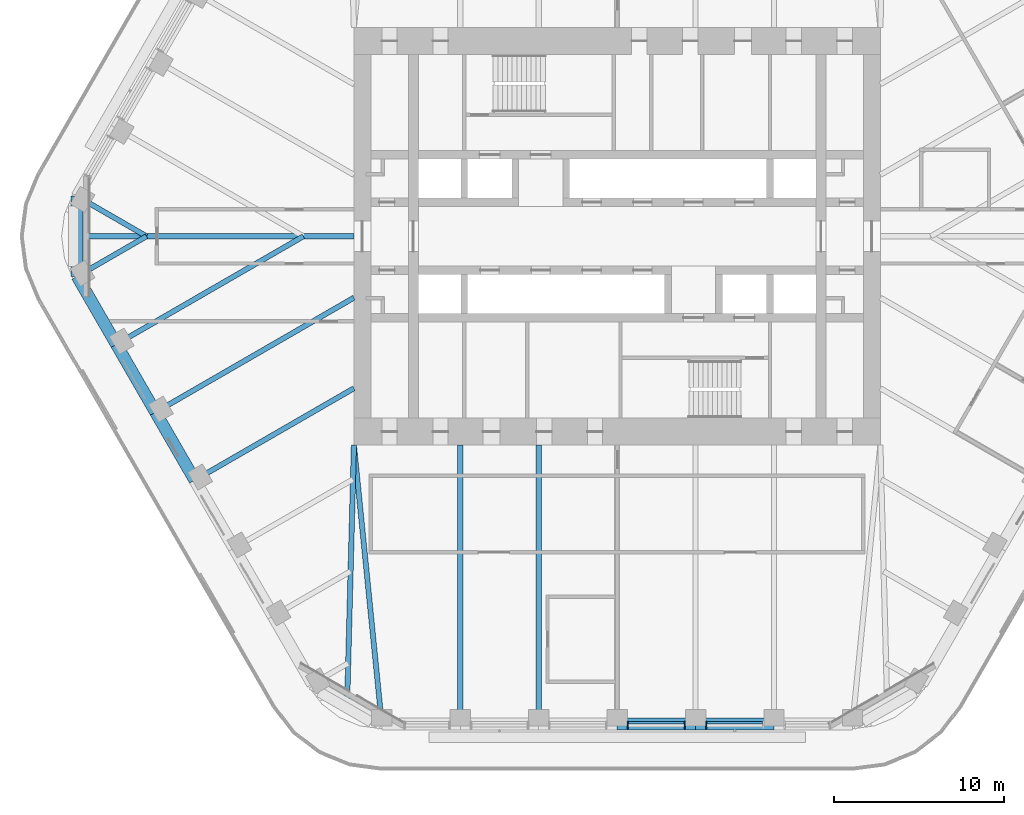
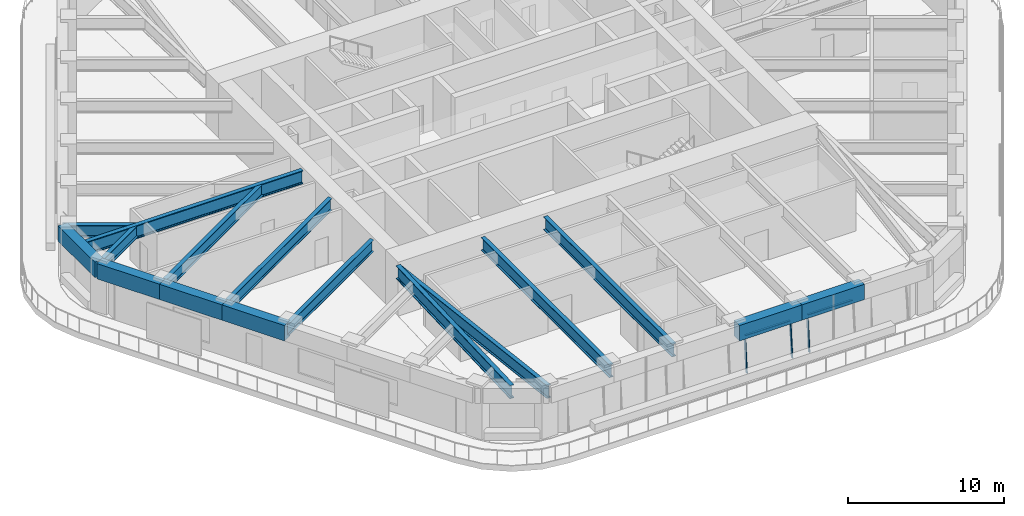
# One storey, part 3 of 20: 16 beams, 5 members, 2 elements without a shape of their own.
"""IFC4 building model written with IfcOpenShell, lengths in metres."""

from ifc_helpers import new_model, si_unit, direction, frame, origin, origin_2d, place, context, subcontext, project, spatial, rectangle, i_section, extrude, material, material_profile, profile_set, type_object, element, aggregate, save


model = new_model("IFC4")

# Units and contexts
model_context = context("Model", 3, precision=1e-05, world=origin(), true_north=direction((0.0, 1.0)))
body_context = subcontext(model_context, "Body", "Model", "MODEL_VIEW")
ifc_project = project(units=[si_unit("LENGTHUNIT", "METRE"), si_unit("AREAUNIT", "SQUARE_METRE"), si_unit("VOLUMEUNIT", "CUBIC_METRE"), si_unit("PLANEANGLEUNIT", "RADIAN"), si_unit("MASSUNIT", "GRAM", prefix="KILO")], contexts=[model_context])

# Site, building, storey
site_placement = place(None, origin())
site = spatial("IfcSite", under=ifc_project, at=site_placement, CompositionType="ELEMENT")
building_placement = place(site_placement, origin())
building = spatial("IfcBuilding", under=site, at=building_placement, Name="Tarfa Lantern Tower", CompositionType="ELEMENT")
storey_placement = place(building_placement, frame((0.0, 0.0, 261.699951171875)))
storey = spatial("IfcBuildingStorey", under=building, at=storey_placement, Name="L59", CompositionType="ELEMENT", Elevation=261.699951171875)

# Curtain wall, members
ifc_material_1 = material(Name="Aluminium framed curtain wall", Category="aluminium")
curtain_wall_type = type_object("IfcCurtainWallType", Name="CW3 CANTED GLAZING HIGH ZONE 2800", PredefinedType="USERDEFINED", material=ifc_material_1)
curtain_wall_1_placement = place(storey_placement, origin())
curtain_wall_1 = element("IfcCurtainWall", 1, at=curtain_wall_1_placement, inside=storey, type_object=curtain_wall_type, Name="CW3 S L59", ObjectType="CURTAIN WALL", PredefinedType="USERDEFINED")
ifc_material_2 = material(Name="Aluminium mullion", Category="aluminium")
ifc_material_profile_1 = material_profile(ifc_material_2, rectangle(XDim=0.06494140625, YDim=0.199951171875, at=origin_2d()), Name="AL MULLION 65x200")
ifc_profile_set_1 = profile_set([ifc_material_profile_1], Name="Aluminium mullion")
member_type_1 = type_object("IfcMemberType", Name="CWM1 MULLION 65x200", PredefinedType="MULLION", material=ifc_profile_set_1)
member_1_placement = place(storey_placement, frame((0.632568359375, -28.89990234375, 0.0), z_axis=(0.0, 0.088930399417, 0.996037842685), x_axis=(-1.0, 0.0, 0.0)))
member_1 = element("IfcMember", 2, at=member_1_placement, type_object=member_type_1, Name="CW3 mullion 1", PredefinedType="MULLION", context=body_context, shape_type="SweptSolid", body=[
    extrude(rectangle(XDim=0.06494140625, YDim=0.199951171875, at=origin_2d()), origin(), (0.0, 0.0, 1.0), 2.811279296875),
])
member_2_placement = place(storey_placement, frame((3.986328125, -28.89990234375, 0.0), z_axis=(0.0, 0.088930399417, 0.996037842685), x_axis=(-1.0, 0.0, 0.0)))
member_2 = element("IfcMember", 3, at=member_2_placement, type_object=member_type_1, Name="CW3 mullion 2", PredefinedType="MULLION", context=body_context, shape_type="SweptSolid", body=[
    extrude(rectangle(XDim=0.06494140625, YDim=0.199951171875, at=origin_2d()), origin(), (0.0, 0.0, 1.0), 2.811279296875),
])

# Curtain wall, member
curtain_wall_2_placement = place(storey_placement, origin())
curtain_wall_2 = element("IfcCurtainWall", 4, at=curtain_wall_2_placement, inside=storey, type_object=curtain_wall_type, Name="CW3 S L59", ObjectType="CURTAIN WALL", PredefinedType="USERDEFINED")
member_3_placement = place(storey_placement, frame((5.251220703125, -28.89990234375, 0.0), z_axis=(0.0, 0.088930399417, 0.996037842685), x_axis=(-1.0, 0.0, 0.0)))
member_3 = element("IfcMember", 5, at=member_3_placement, type_object=member_type_1, Name="CW3 mullion 1", PredefinedType="MULLION", context=body_context, shape_type="SweptSolid", body=[
    extrude(rectangle(XDim=0.06494140625, YDim=0.199951171875, at=origin_2d()), origin(), (0.0, 0.0, 1.0), 2.811279296875),
])

# Member
ifc_material_3 = material(Name="Aluminium transom", Category="aluminium")
ifc_material_profile_2 = material_profile(ifc_material_3, rectangle(XDim=0.14990234375, YDim=0.06494140625, at=origin_2d()), Name="AL TRANSOM 150x65")
ifc_profile_set_2 = profile_set([ifc_material_profile_2], Name="Aluminium transom")
member_type_2 = type_object("IfcMemberType", Name="CWT1 TRANSOM 150x65", PredefinedType="USERDEFINED", material=ifc_profile_set_2)
member_4_placement = place(storey_placement, frame((0.6650390625, -28.65283203125, 2.767578125), z_axis=(1.0, 0.0, 0.0), x_axis=(0.0, 1.0, 0.0)))
member_4 = element("IfcMember", 6, at=member_4_placement, type_object=member_type_2, Name="CW3 transom 1.2", ObjectType="TRANSOM", PredefinedType="USERDEFINED", context=body_context, shape_type="SweptSolid", body=[
    extrude(rectangle(XDim=0.14990234375, YDim=0.06494140625, at=origin_2d()), origin(), (0.0, 0.0, 1.0), 3.288818359375),
])

aggregate(curtain_wall_1, [member_1, member_2, member_4])

member_5_placement = place(storey_placement, frame((5.28369140625, -28.65283203125, 2.767578125), z_axis=(1.0, 0.0, 0.0), x_axis=(0.0, 1.0, 0.0)))
member_5 = element("IfcMember", 7, at=member_5_placement, type_object=member_type_2, Name="CW3 transom 1.2", ObjectType="TRANSOM", PredefinedType="USERDEFINED", context=body_context, shape_type="SweptSolid", body=[
    extrude(rectangle(XDim=0.14990234375, YDim=0.06494140625, at=origin_2d()), origin(), (0.0, 0.0, 1.0), 3.288818359375),
])

aggregate(curtain_wall_2, [member_3, member_5])

# Beams
ifc_material_4 = material(Name="Concrete C80/95", Category="concrete")
ifc_material_profile_3 = material_profile(ifc_material_4, rectangle(XDim=0.699951171875, YDim=1.199951171875, at=origin_2d()), Name="RC 700x1200")
ifc_profile_set_3 = profile_set([ifc_material_profile_3], Name="Concrete C80/95")
beam_type_1 = type_object("IfcBeamType", Name="EB3 RC 700x1200", PredefinedType="SPANDREL", material=ifc_profile_set_3)
beam_1_placement = place(storey_placement, frame((-31.800537109375, 2.360107421875, 3.400146484375), z_axis=(0.0, -1.0, 0.0), x_axis=(1.0, 0.0, 0.0)))
element("IfcBeam", 8, at=beam_1_placement, inside=storey, type_object=beam_type_1, Name="Edge beam NW6", PredefinedType="SPANDREL", context=body_context, shape_type="SweptSolid", body=[
    extrude(rectangle(XDim=0.699951171875, YDim=1.199951171875, at=origin_2d()), origin(), (0.0, 0.0, 1.0), 4.72021484375),
])
beam_2_placement = place(storey_placement, frame((-31.800537109375, -2.360107421875, 3.400146484375), z_axis=(0.500027479704, -0.866009537788, 0.0), x_axis=(0.866009537788, 0.500027479704, 0.0)))
element("IfcBeam", 9, at=beam_2_placement, inside=storey, type_object=beam_type_1, Name="Edge beam SW0", PredefinedType="SPANDREL", context=body_context, shape_type="SweptSolid", body=[
    extrude(rectangle(XDim=0.699951171875, YDim=1.199951171875, at=origin_2d()), origin(), (0.0, 0.0, 1.0), 4.618896484375),
])
for number, where, z_axis, x_axis, name in (
    (10, (-29.490966796875, -6.360107421875, 3.400146484375), (0.499987836815, -0.866032426089, 0.0), (0.866032426089, 0.499987836815, 0.0), "Edge beam SW1"),
    (11, (-27.181640625, -10.360107421875, 3.400146484375), (0.499987836815, -0.866032426089, 0.0), (0.866032426089, 0.499987836815, 0.0), "Edge beam SW2"),
):
    element("IfcBeam", number, at=place(storey_placement, frame(where, z_axis=z_axis, x_axis=x_axis)), inside=storey, type_object=beam_type_1, Name=name, PredefinedType="SPANDREL", context=body_context, shape_type="SweptSolid", body=[
        extrude(rectangle(XDim=0.699951171875, YDim=1.199951171875, at=origin_2d()), origin(), (0.0, 0.0, 1.0), 4.61865234375),
    ])
beam_3_placement = place(storey_placement, frame((0.0, -28.719970703125, 3.400146484375), z_axis=(1.0, 0.0, 0.0), x_axis=(0.0, 1.0, 0.0)))
element("IfcBeam", 12, at=beam_3_placement, inside=storey, type_object=beam_type_1, Name="Edge beam S3", PredefinedType="SPANDREL", context=body_context, shape_type="SweptSolid", body=[
    extrude(rectangle(XDim=0.699951171875, YDim=1.199951171875, at=origin_2d()), origin(), (0.0, 0.0, 1.0), 4.618896484375),
])
beam_4_placement = place(storey_placement, frame((4.618896484375, -28.719970703125, 3.400146484375), z_axis=(1.0, 0.0, 0.0), x_axis=(0.0, 1.0, 0.0)))
element("IfcBeam", 13, at=beam_4_placement, inside=storey, type_object=beam_type_1, Name="Edge beam S4", PredefinedType="SPANDREL", context=body_context, shape_type="SweptSolid", body=[
    extrude(rectangle(XDim=0.699951171875, YDim=1.199951171875, at=origin_2d()), origin(), (0.0, 0.0, 1.0), 4.61865234375),
])
ifc_material_5 = material(Name="Steel S460M", Category="steel")
ifc_material_profile_4 = material_profile(ifc_material_5, i_section(OverallWidth=0.302001953125, OverallDepth=1.008056640625, WebThickness=0.02099609375, FlangeThickness=0.0400390625, FilletRadius=0.030029296875, at=origin_2d()), Name="UB1016x305x349")
ifc_profile_set_4 = profile_set([ifc_material_profile_4], Name="Steel S460M")
beam_type_2 = type_object("IfcBeamType", Name="UB1016x305x349", PredefinedType="BEAM", material=ifc_profile_set_4)
beam_5_placement = place(storey_placement, frame((-13.8564453125, -28.719970703125, 3.49609375), z_axis=(-0.099597466746, 0.995027810977, 0.0), x_axis=(-0.995027810977, -0.099597466746, 0.0)))
element("IfcBeam", 14, at=beam_5_placement, inside=storey, type_object=beam_type_2, Name="Floor beam S0", PredefinedType="BEAM", context=body_context, shape_type="SweptSolid", body=[
    extrude(i_section(OverallWidth=0.302001953125, OverallDepth=1.008056640625, WebThickness=0.02099609375, FlangeThickness=0.0400390625, FilletRadius=0.030029296875, at=origin_2d()), origin(), (0.0, 0.0, 1.0), 16.501953125),
])
for number, where, z_axis, x_axis, name in (
    (15, (-9.237548828125, -28.719970703125, 3.49609375), (0.0, 1.0, 0.0), (-1.0, 0.0, 0.0), "Floor beam S1"),
    (16, (-4.618896484375, -28.719970703125, 3.49609375), (0.0, 1.0, 0.0), (-1.0, 0.0, 0.0), "Floor beam S2"),
):
    element("IfcBeam", number, at=place(storey_placement, frame(where, z_axis=z_axis, x_axis=x_axis)), inside=storey, type_object=beam_type_2, Name=name, PredefinedType="BEAM", context=body_context, shape_type="SweptSolid", body=[
        extrude(i_section(OverallWidth=0.302001953125, OverallDepth=1.008056640625, WebThickness=0.02099609375, FlangeThickness=0.0400390625, FilletRadius=0.030029296875, at=origin_2d()), origin(), (0.0, 0.0, 1.0), 16.419921875),
    ])
ifc_material_profile_5 = material_profile(ifc_material_5, i_section(OverallWidth=0.30859375, OverallDepth=1.036376953125, WebThickness=0.030029296875, FlangeThickness=0.05419921875, FilletRadius=0.030029296875, at=origin_2d()), Name="UB1016x305x487")
ifc_profile_set_5 = profile_set([ifc_material_profile_5], Name="Steel S460M")
beam_type_3 = type_object("IfcBeamType", Name="UB1016x305x487", PredefinedType="BEAM", material=ifc_profile_set_5)
beam_6_placement = place(storey_placement, frame((-15.5, 0.0, 3.48193359375), z_axis=(-1.0, 0.0, 0.0), x_axis=(0.0, -1.0, 0.0)))
element("IfcBeam", 17, at=beam_6_placement, inside=storey, type_object=beam_type_3, Name="Hip girder W", PredefinedType="BEAM", context=body_context, shape_type="SweptSolid", body=[
    extrude(i_section(OverallWidth=0.30859375, OverallDepth=1.036376953125, WebThickness=0.030029296875, FlangeThickness=0.05419921875, FilletRadius=0.030029296875, at=origin_2d()), origin(), (0.0, 0.0, 1.0), 16.300537109375),
])
beam_7_placement = place(storey_placement, frame((-15.5, -12.300048828125, 3.48193359375), z_axis=(-0.026247301989, -0.999655480222, 0.0), x_axis=(0.999655480222, -0.026247301989, 0.0)))
element("IfcBeam", 18, at=beam_7_placement, inside=storey, type_object=beam_type_3, Name="Hip girder SW", PredefinedType="BEAM", context=body_context, shape_type="SweptSolid", body=[
    extrude(i_section(OverallWidth=0.30859375, OverallDepth=1.036376953125, WebThickness=0.030029296875, FlangeThickness=0.05419921875, FilletRadius=0.030029296875, at=origin_2d()), origin(), (0.0, 0.0, 1.0), 15.245361328125),
])
ifc_material_profile_6 = material_profile(ifc_material_5, i_section(OverallWidth=0.305419921875, OverallDepth=0.91845703125, WebThickness=0.017333984375, FlangeThickness=0.02783203125, FilletRadius=0.01904296875, at=origin_2d()), Name="UB914x305x253")
ifc_profile_set_6 = profile_set([ifc_material_profile_6], Name="Steel S460M")
beam_type_4 = type_object("IfcBeamType", Name="UB914x305x253", PredefinedType="BEAM", material=ifc_profile_set_6)
for number, where, z_axis, x_axis, name in (
    (19, (-31.800537109375, 2.360107421875, 3.540771484375), (0.866015897305, -0.500016465344, 0.0), (0.500016465344, 0.866015897305, 0.0), "Floor beam NW6"),
    (20, (-31.800537109375, -2.360107421875, 3.540771484375), (0.866015897305, 0.500016465344, 0.0), (-0.500016465344, 0.866015897305, 0.0), "Floor beam SW0"),
):
    element("IfcBeam", number, at=place(storey_placement, frame(where, z_axis=z_axis, x_axis=x_axis)), inside=storey, type_object=beam_type_4, Name=name, PredefinedType="BEAM", context=body_context, shape_type="SweptSolid", body=[
        extrude(i_section(OverallWidth=0.305419921875, OverallDepth=0.91845703125, WebThickness=0.017333984375, FlangeThickness=0.02783203125, FilletRadius=0.01904296875, at=origin_2d()), origin(), (0.0, 0.0, 1.0), 4.719970703125),
    ])
beam_8_placement = place(storey_placement, frame((-29.490966796875, -6.360107421875, 3.540771484375), z_axis=(0.866022258038, 0.500005448553, 0.0), x_axis=(-0.500005448553, 0.866022258038, 0.0)))
element("IfcBeam", 21, at=beam_8_placement, inside=storey, type_object=beam_type_4, Name="Floor beam SW1", PredefinedType="BEAM", context=body_context, shape_type="SweptSolid", body=[
    extrude(i_section(OverallWidth=0.305419921875, OverallDepth=0.91845703125, WebThickness=0.017333984375, FlangeThickness=0.02783203125, FilletRadius=0.01904296875, at=origin_2d()), origin(), (0.0, 0.0, 1.0), 12.719970703125),
])
beam_9_placement = place(storey_placement, frame((-27.181640625, -10.360107421875, 3.540771484375), z_axis=(0.866018002818, 0.500012818631, 0.0), x_axis=(-0.500012818631, 0.866018002818, 0.0)))
element("IfcBeam", 22, at=beam_9_placement, inside=storey, type_object=beam_type_4, Name="Floor beam SW2", PredefinedType="BEAM", context=body_context, shape_type="SweptSolid", body=[
    extrude(i_section(OverallWidth=0.305419921875, OverallDepth=0.91845703125, WebThickness=0.017333984375, FlangeThickness=0.02783203125, FilletRadius=0.01904296875, at=origin_2d()), origin(), (0.0, 0.0, 1.0), 13.489013671875),
])
beam_10_placement = place(storey_placement, frame((-24.872314453125, -14.360107421875, 3.540771484375), z_axis=(0.8660244219, 0.500001700669, 0.0), x_axis=(-0.500001700669, 0.8660244219, 0.0)))
element("IfcBeam", 23, at=beam_10_placement, inside=storey, type_object=beam_type_4, Name="Floor beam SW3", PredefinedType="BEAM", context=body_context, shape_type="SweptSolid", body=[
    extrude(i_section(OverallWidth=0.305419921875, OverallDepth=0.91845703125, WebThickness=0.017333984375, FlangeThickness=0.02783203125, FilletRadius=0.01904296875, at=origin_2d()), origin(), (0.0, 0.0, 1.0), 10.822265625),
])

save(model, "model.ifc")
